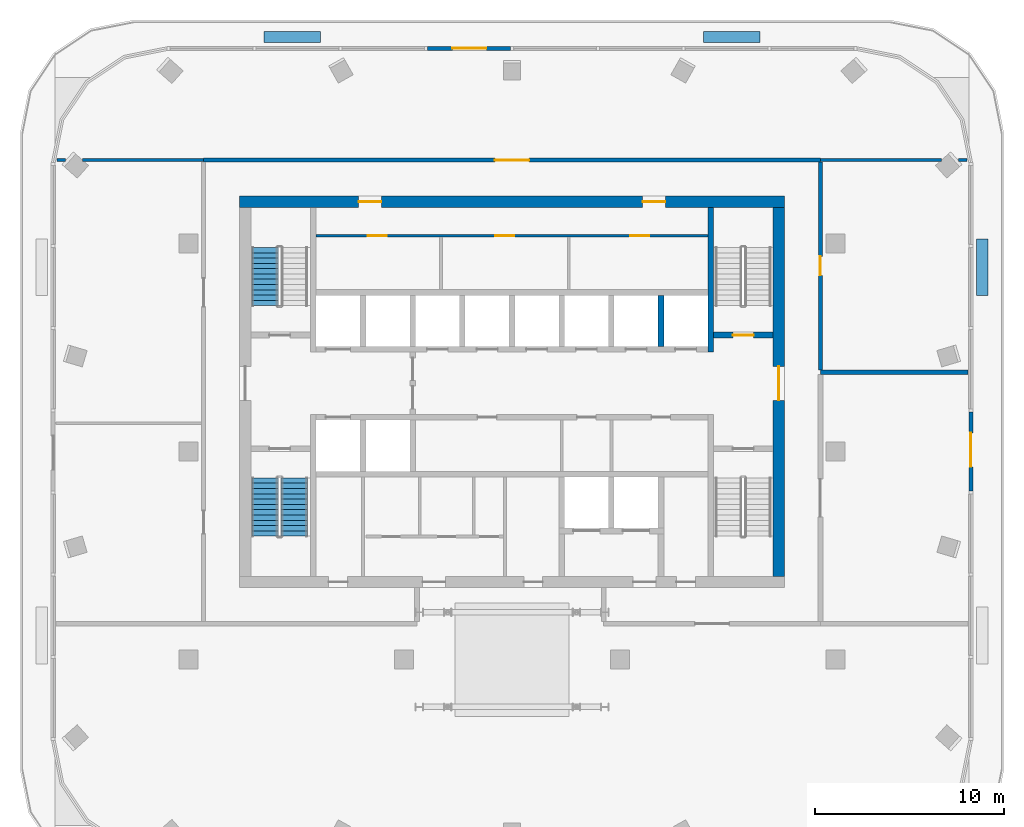
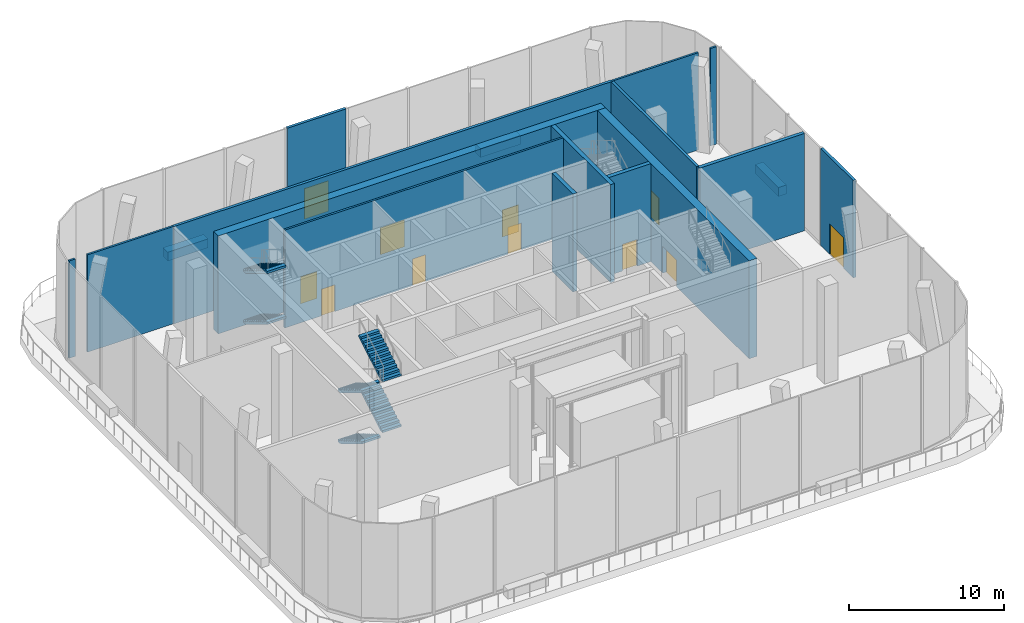
# One storey, part 8 of 13: 18 walls, 11 doors, 6 stair flights, 11 openings, 2 elements without a shape of their own.
"""IFC4 building model written with IfcOpenShell, lengths in metres."""

from ifc_helpers import new_model, si_unit, direction, frame, frame_2d, origin, place, context, subcontext, project, spatial, polyline, rectangle, outline, extrude, material, layer, layer_set, type_object, element, fill, aggregate, save


model = new_model("IFC4")

# Units and contexts
model_context = context("Model", 3, precision=1e-05, world=origin(), true_north=direction((0.0, 1.0)))
body_context = subcontext(model_context, "Body", "Model", "MODEL_VIEW")
ifc_project = project(units=[si_unit("LENGTHUNIT", "METRE"), si_unit("AREAUNIT", "SQUARE_METRE"), si_unit("VOLUMEUNIT", "CUBIC_METRE"), si_unit("PLANEANGLEUNIT", "RADIAN"), si_unit("MASSUNIT", "GRAM", prefix="KILO")], contexts=[model_context])

# Site, building, storey
site_placement = place(None, origin())
site = spatial("IfcSite", under=ifc_project, at=site_placement, CompositionType="ELEMENT")
building_placement = place(site_placement, origin())
building = spatial("IfcBuilding", under=site, at=building_placement, Name="Mopane Tessera Tower", CompositionType="ELEMENT")
storey_placement = place(building_placement, frame((0.0, 0.0, 337.39990234375)))
storey = spatial("IfcBuildingStorey", under=building, at=storey_placement, Name="L74", CompositionType="ELEMENT", Elevation=337.39990234375)

# Wall, openings, doors
ifc_material_1 = material(Name="Fire-rated gypsum board partition")
ifc_layer_1 = layer(ifc_material_1, 0.14990234375)
ifc_layer_set_1 = layer_set([ifc_layer_1], Name="Fire-rated gypsum board partition")
wall_type_1 = type_object("IfcWallType", Name="Core room partition 150 mm", PredefinedType="PARTITIONING", material=ifc_layer_set_1)
wall_1_placement = place(storey_placement, frame((-10.35009765625, 11.39990234375, 0.0), z_axis=(0.0, 0.0, 1.0), x_axis=(1.0, 0.0, 0.0)))
wall_1 = element("IfcWall", 1, at=wall_1_placement, inside=storey, type_object=wall_type_1, Name="L74 Corridor wall", PredefinedType="PARTITIONING", context=body_context, shape_type="SweptSolid", body=[
    extrude(rectangle(XDim=20.7001953125, YDim=0.14990234375, at=frame_2d((10.35009765625, 0.0))), origin(), (0.0, 0.0, 1.0), 7.7001953125),
])
opening_1_placement = place(wall_1_placement, frame((2.72509765625, 0.0, 0.0)))
opening_1 = element("IfcOpeningElement", 2, at=opening_1_placement, cuts=wall_1, Name="Opening RD1", PredefinedType="OPENING", context=body_context, shape_type="SweptSolid", body=[
    extrude(rectangle(XDim=1.0, YDim=2.10009765625, at=frame_2d((0.5, 1.050048828125))), frame((0.0, 0.0869140625, 0.0), z_axis=(0.0, -1.0, 0.0), x_axis=(1.0, 0.0, 0.0)), (0.0, 0.0, 1.0), 0.173828125),
])
opening_2_placement = place(wall_1_placement, frame((9.47509765625, 0.0, 0.0)))
opening_2 = element("IfcOpeningElement", 3, at=opening_2_placement, cuts=wall_1, Name="Opening RD1", PredefinedType="OPENING", context=body_context, shape_type="SweptSolid", body=[
    extrude(rectangle(XDim=1.0, YDim=2.10009765625, at=frame_2d((0.5, 1.050048828125))), frame((0.0, 0.0869140625, 0.0), z_axis=(0.0, -1.0, 0.0), x_axis=(1.0, 0.0, 0.0)), (0.0, 0.0, 1.0), 0.173828125),
])
opening_3_placement = place(wall_1_placement, frame((16.60009765625, 0.0, 0.0)))
opening_3 = element("IfcOpeningElement", 4, at=opening_3_placement, cuts=wall_1, Name="Opening RD1", PredefinedType="OPENING", context=body_context, shape_type="SweptSolid", body=[
    extrude(rectangle(XDim=1.0, YDim=2.10009765625, at=frame_2d((0.5, 1.050048828125))), frame((0.0, 0.0869140625, 0.0), z_axis=(0.0, -1.0, 0.0), x_axis=(1.0, 0.0, 0.0)), (0.0, 0.0, 1.0), 0.173828125),
])
ifc_material_2 = material(Name="Timber door", Category="wood")
door_type_1 = type_object("IfcDoorType", Name="Core room door 1000 x 2100", OperationType="SINGLE_SWING_LEFT", PredefinedType="DOOR", material=ifc_material_2)
door_1_placement = place(opening_1_placement, origin())
door_1 = element("IfcDoor", 5, at=door_1_placement, inside=storey, type_object=door_type_1, Name="L74 Room door", OperationType="SINGLE_SWING_LEFT", OverallHeight=2.10009765625, OverallWidth=1.0, PredefinedType="DOOR", context=body_context, shape_type="SweptSolid", body=[
    extrude(rectangle(XDim=1.0, YDim=2.10009765625, at=frame_2d((0.5, 1.050048828125))), frame((0.0, 0.02490234375, 0.0), z_axis=(0.0, -1.0, 0.0), x_axis=(1.0, 0.0, 0.0)), (0.0, 0.0, 1.0), 0.050048828125),
])
fill(opening_1, door_1)
door_2_placement = place(opening_2_placement, origin())
door_2 = element("IfcDoor", 6, at=door_2_placement, inside=storey, type_object=door_type_1, Name="L74 Room door", OperationType="SINGLE_SWING_LEFT", OverallHeight=2.10009765625, OverallWidth=1.0, PredefinedType="DOOR", context=body_context, shape_type="SweptSolid", body=[
    extrude(rectangle(XDim=1.0, YDim=2.10009765625, at=frame_2d((0.5, 1.050048828125))), frame((0.0, 0.02490234375, 0.0), z_axis=(0.0, -1.0, 0.0), x_axis=(1.0, 0.0, 0.0)), (0.0, 0.0, 1.0), 0.050048828125),
])
fill(opening_2, door_2)
door_3_placement = place(opening_3_placement, origin())
door_3 = element("IfcDoor", 7, at=door_3_placement, inside=storey, type_object=door_type_1, Name="L74 Room door", OperationType="SINGLE_SWING_LEFT", OverallHeight=2.10009765625, OverallWidth=1.0, PredefinedType="DOOR", context=body_context, shape_type="SweptSolid", body=[
    extrude(rectangle(XDim=1.0, YDim=2.10009765625, at=frame_2d((0.5, 1.050048828125))), frame((0.0, 0.02490234375, 0.0), z_axis=(0.0, -1.0, 0.0), x_axis=(1.0, 0.0, 0.0)), (0.0, 0.0, 1.0), 0.050048828125),
])
fill(opening_3, door_3)

ifc_material_3 = material(Name="Concrete C70/85", Category="concrete")
ifc_layer_2 = layer(ifc_material_3, 0.60009765625)
ifc_layer_set_2 = layer_set([ifc_layer_2], Name="Concrete C70/85")
wall_type_2 = type_object("IfcWallType", Name="Core shear wall 600 mm", PredefinedType="SHEAR", material=ifc_layer_set_2)
wall_2_placement = place(storey_placement, frame((-14.39990234375, 13.199951171875, 0.0), z_axis=(0.0, 0.0, 1.0), x_axis=(1.0, 0.0, 0.0)))
wall_2 = element("IfcWall", 8, at=wall_2_placement, inside=storey, type_object=wall_type_2, Name="L74 Core wall north", PredefinedType="SHEAR", context=body_context, shape_type="SweptSolid", body=[
    extrude(rectangle(XDim=28.7998046875, YDim=0.60009765625, at=frame_2d((14.39990234375, 0.0))), origin(), (0.0, 0.0, 1.0), 7.7001953125),
])
opening_4_placement = place(wall_2_placement, frame((6.300048828125, 0.0, 0.0)))
opening_4 = element("IfcOpeningElement", 9, at=opening_4_placement, cuts=wall_2, Name="Opening RD2", PredefinedType="OPENING", context=body_context, shape_type="SweptSolid", body=[
    extrude(rectangle(XDim=1.199951171875, YDim=2.10009765625, at=frame_2d((0.60009765625, 1.050048828125))), frame((0.0, 0.31201171875, 0.0), z_axis=(0.0, -1.0, 0.0), x_axis=(1.0, 0.0, 0.0)), (0.0, 0.0, 1.0), 0.6240234375),
])
opening_5_placement = place(wall_2_placement, frame((21.300048828125, 0.0, 0.0)))
opening_5 = element("IfcOpeningElement", 10, at=opening_5_placement, cuts=wall_2, Name="Opening RD2", PredefinedType="OPENING", context=body_context, shape_type="SweptSolid", body=[
    extrude(rectangle(XDim=1.199951171875, YDim=2.10009765625, at=frame_2d((0.60009765625, 1.050048828125))), frame((0.0, 0.31201171875, 0.0), z_axis=(0.0, -1.0, 0.0), x_axis=(1.0, 0.0, 0.0)), (0.0, 0.0, 1.0), 0.6240234375),
])
ifc_material_4 = material(Name="Timber door", Category="wood")
door_type_2 = type_object("IfcDoorType", Name="Core corridor door 1200 x 2100", OperationType="SINGLE_SWING_LEFT", PredefinedType="DOOR", material=ifc_material_4)
door_4_placement = place(opening_4_placement, origin())
door_4 = element("IfcDoor", 11, at=door_4_placement, inside=storey, type_object=door_type_2, Name="L74 Corridor door", OperationType="SINGLE_SWING_LEFT", OverallHeight=2.10009765625, OverallWidth=1.199951171875, PredefinedType="DOOR", context=body_context, shape_type="SweptSolid", body=[
    extrude(rectangle(XDim=1.199951171875, YDim=2.10009765625, at=frame_2d((0.60009765625, 1.050048828125))), frame((0.0, 0.02490234375, 0.0), z_axis=(0.0, -1.0, 0.0), x_axis=(1.0, 0.0, 0.0)), (0.0, 0.0, 1.0), 0.050048828125),
])
fill(opening_4, door_4)
door_5_placement = place(opening_5_placement, origin())
door_5 = element("IfcDoor", 12, at=door_5_placement, inside=storey, type_object=door_type_2, Name="L74 Corridor door", OperationType="SINGLE_SWING_RIGHT", OverallHeight=2.10009765625, OverallWidth=1.199951171875, PredefinedType="DOOR", context=body_context, shape_type="SweptSolid", body=[
    extrude(rectangle(XDim=1.199951171875, YDim=2.10009765625, at=frame_2d((0.60009765625, 1.050048828125))), frame((0.0, 0.02490234375, 0.0), z_axis=(0.0, -1.0, 0.0), x_axis=(1.0, 0.0, 0.0)), (0.0, 0.0, 1.0), 0.050048828125),
])
fill(opening_5, door_5)

# Wall, opening, door
wall_3_placement = place(storey_placement, frame((14.10009765625, -6.60009765625, 0.0), z_axis=(0.0, 0.0, 1.0), x_axis=(0.0, 1.0, 0.0)))
wall_3 = element("IfcWall", 13, at=wall_3_placement, inside=storey, type_object=wall_type_2, Name="L74 Core wall east", PredefinedType="SHEAR", context=body_context, shape_type="SweptSolid", body=[
    extrude(rectangle(XDim=19.5, YDim=0.60009765625, at=frame_2d((9.75, 0.0))), origin(), (0.0, 0.0, 1.0), 7.7001953125),
])
opening_6_placement = place(wall_3_placement, frame((9.300048828125, 0.0, 0.0)))
opening_6 = element("IfcOpeningElement", 14, at=opening_6_placement, cuts=wall_3, Name="Opening SD2", PredefinedType="OPENING", context=body_context, shape_type="SweptSolid", body=[
    extrude(rectangle(XDim=1.800048828125, YDim=2.10009765625, at=frame_2d((0.89990234375, 1.050048828125))), frame((0.0, 0.31201171875, 0.0), z_axis=(0.0, -1.0, 0.0), x_axis=(1.0, 0.0, 0.0)), (0.0, 0.0, 1.0), 0.6240234375),
])
ifc_material_5 = material(Name="Steel fire door", Category="steel")
door_type_3 = type_object("IfcDoorType", Name="Core entrance double door 1800 x 2100", OperationType="DOUBLE_DOOR_SINGLE_SWING", PredefinedType="DOOR", material=ifc_material_5)
door_6_placement = place(opening_6_placement, origin())
door_6 = element("IfcDoor", 15, at=door_6_placement, inside=storey, type_object=door_type_3, Name="L74 Core entrance door east", OperationType="DOUBLE_DOOR_SINGLE_SWING", OverallHeight=2.10009765625, OverallWidth=1.800048828125, PredefinedType="DOOR", context=body_context, shape_type="SweptSolid", body=[
    extrude(rectangle(XDim=1.800048828125, YDim=2.10009765625, at=frame_2d((0.89990234375, 1.050048828125))), frame((0.0, 0.02490234375, 0.0), z_axis=(0.0, -1.0, 0.0), x_axis=(1.0, 0.0, 0.0)), (0.0, 0.0, 1.0), 0.050048828125),
])
fill(opening_6, door_6)

# Wall
ifc_material_6 = material(Name="Concrete C60/75", Category="concrete")
ifc_layer_3 = layer(ifc_material_6, 0.300048828125)
ifc_layer_set_3 = layer_set([ifc_layer_3], Name="Concrete C60/75")
wall_type_3 = type_object("IfcWallType", Name="Core spine wall 300 mm", PredefinedType="SHEAR", material=ifc_layer_set_3)
wall_4_placement = place(storey_placement, frame((10.5, 5.25, 0.0), z_axis=(0.0, 0.0, 1.0), x_axis=(0.0, 1.0, 0.0)))
element("IfcWall", 16, at=wall_4_placement, inside=storey, type_object=wall_type_3, Name="L74 Core spine wall", PredefinedType="SHEAR", context=body_context, shape_type="SweptSolid", body=[
    extrude(rectangle(XDim=7.64990234375, YDim=0.300048828125, at=frame_2d((3.824951171875, 0.0))), origin(), (0.0, 0.0, 1.0), 7.7001953125),
])

# Wall, opening, door
ifc_material_7 = material(Name="Gypsum board on steel studs, two layers each face, mineral wool infill", Category="steel")
ifc_layer_4 = layer(ifc_material_7, 0.199951171875)
ifc_layer_set_4 = layer_set([ifc_layer_4], Name="Gypsum board on steel studs, two layers each face, mineral wool infill")
wall_type_4 = type_object("IfcWallType", Name="Gypsum board corridor wall 200, rated EI 60", PredefinedType="PARTITIONING", material=ifc_layer_set_4)
wall_5_placement = place(storey_placement, frame((-16.300048828125, 15.39990234375, 0.0), z_axis=(0.0, 0.0, 1.0), x_axis=(1.0, 0.0, 0.0)))
wall_5 = element("IfcWall", 17, at=wall_5_placement, inside=storey, type_object=wall_type_4, Name="Partition L74:009", PredefinedType="PARTITIONING", context=body_context, shape_type="SweptSolid", body=[
    extrude(rectangle(XDim=32.60009765625, YDim=0.199951171875, at=frame_2d((16.300048828125, 0.0))), origin(), (0.0, 0.0, 1.0), 7.650146484375),
])
opening_7_placement = place(wall_5_placement, frame((15.39990234375, 0.0, 0.0)))
opening_7 = element("IfcOpeningElement", 18, at=opening_7_placement, cuts=wall_5, Name="Opening L74-06", PredefinedType="OPENING", context=body_context, shape_type="SweptSolid", body=[
    extrude(rectangle(XDim=1.800048828125, YDim=2.10009765625, at=frame_2d((0.89990234375, 1.050048828125))), frame((0.0, 0.112060546875, 0.0), z_axis=(0.0, -1.0, 0.0), x_axis=(1.0, 0.0, 0.0)), (0.0, 0.0, 1.0), 0.223876953125),
])
ifc_material_8 = material(Name="Timber veneered steel-framed fire door", Category="steel")
door_type_4 = type_object("IfcDoorType", Name="Fire door pair FD60 1800 x 2100", OperationType="DOUBLE_DOOR_SINGLE_SWING", PredefinedType="DOOR", material=ifc_material_8)
door_7_placement = place(opening_7_placement, origin())
door_7 = element("IfcDoor", 19, at=door_7_placement, inside=storey, type_object=door_type_4, Name="Door L74-06", ObjectType="D20A", OperationType="DOUBLE_DOOR_SINGLE_SWING", OverallHeight=2.10009765625, OverallWidth=1.800048828125, PredefinedType="DOOR", context=body_context, shape_type="SweptSolid", body=[
    extrude(rectangle(XDim=1.800048828125, YDim=2.10009765625, at=frame_2d((0.89990234375, 1.050048828125))), frame((0.0, 0.02490234375, 0.0), z_axis=(0.0, -1.0, 0.0), x_axis=(1.0, 0.0, 0.0)), (0.0, 0.0, 1.0), 0.050048828125),
])
fill(opening_7, door_7)

wall_6_placement = place(storey_placement, frame((16.300048828125, 4.31005859375, 0.0), z_axis=(0.0, 0.0, 1.0), x_axis=(0.0, 1.0, 0.0)))
wall_6 = element("IfcWall", 20, at=wall_6_placement, inside=storey, type_object=wall_type_4, Name="Partition L74:013", PredefinedType="PARTITIONING", context=body_context, shape_type="SweptSolid", body=[
    extrude(rectangle(XDim=10.989990234375, YDim=0.199951171875, at=frame_2d((5.4951171875, 0.0))), origin(), (0.0, 0.0, 1.0), 7.650146484375),
])
opening_8_placement = place(wall_6_placement, frame((4.9951171875, 0.0, 0.0)))
opening_8 = element("IfcOpeningElement", 21, at=opening_8_placement, cuts=wall_6, Name="Opening L74-04", PredefinedType="OPENING", context=body_context, shape_type="SweptSolid", body=[
    extrude(rectangle(XDim=1.0, YDim=2.10009765625, at=frame_2d((0.5, 1.050048828125))), frame((0.0, 0.112060546875, 0.0), z_axis=(0.0, -1.0, 0.0), x_axis=(1.0, 0.0, 0.0)), (0.0, 0.0, 1.0), 0.223876953125),
])
ifc_material_9 = material(Name="Timber veneered steel-framed fire door", Category="steel")
door_type_5 = type_object("IfcDoorType", Name="Fire door FD60 1000 x 2100", OperationType="SINGLE_SWING_LEFT", PredefinedType="DOOR", material=ifc_material_9)
door_8_placement = place(opening_8_placement, origin())
door_8 = element("IfcDoor", 22, at=door_8_placement, inside=storey, type_object=door_type_5, Name="Door L74-04", ObjectType="D12A", OperationType="SINGLE_SWING_RIGHT", OverallHeight=2.10009765625, OverallWidth=1.0, PredefinedType="DOOR", context=body_context, shape_type="SweptSolid", body=[
    extrude(rectangle(XDim=1.0, YDim=2.10009765625, at=frame_2d((0.5, 1.050048828125))), frame((0.0, 0.02490234375, 0.0), z_axis=(0.0, -1.0, 0.0), x_axis=(1.0, 0.0, 0.0)), (0.0, 0.0, 1.0), 0.050048828125),
])
fill(opening_8, door_8)

# Walls
ifc_material_10 = material(Name="Gypsum board on steel studs, mineral wool infill", Category="steel")
ifc_layer_5 = layer(ifc_material_10, 0.14990234375)
ifc_layer_set_5 = layer_set([ifc_layer_5], Name="Gypsum board on steel studs, mineral wool infill")
wall_type_5 = type_object("IfcWallType", Name="Gypsum board partition 150, rated EI 60", PredefinedType="PARTITIONING", material=ifc_layer_set_5)
wall_7_placement = place(storey_placement, frame((-24.055908203125, 15.39990234375, 0.0), z_axis=(0.0, 0.0, 1.0), x_axis=(1.0, 0.0, 0.0)))
element("IfcWall", 23, at=wall_7_placement, inside=storey, type_object=wall_type_5, Name="Partition L74:005", PredefinedType="PARTITIONING", context=body_context, shape_type="SweptSolid", body=[
    extrude(rectangle(XDim=0.455810546875, YDim=0.14990234375, at=frame_2d((0.22802734375, 0.0))), origin(), (0.0, 0.0, 1.0), 7.650146484375),
])
for number, where, z_axis, x_axis, name in (
    (24, (-22.699951171875, 15.39990234375, 0.0), (0.0, 0.0, 1.0), (1.0, 0.0, 0.0), "Partition L74:006"),
    (25, (16.300048828125, 15.39990234375, 0.0), (0.0, 0.0, 1.0), (1.0, 0.0, 0.0), "Partition L74:007"),
):
    element("IfcWall", number, at=place(storey_placement, frame(where, z_axis=z_axis, x_axis=x_axis)), inside=storey, type_object=wall_type_5, Name=name, PredefinedType="PARTITIONING", context=body_context, shape_type="SweptSolid", body=[
        extrude(rectangle(XDim=6.39990234375, YDim=0.14990234375, at=frame_2d((3.199951171875, 0.0))), origin(), (0.0, 0.0, 1.0), 7.650146484375),
    ])
wall_8_placement = place(storey_placement, frame((23.60009765625, 15.39990234375, 0.0), z_axis=(0.0, 0.0, 1.0), x_axis=(1.0, 0.0, 0.0)))
element("IfcWall", 26, at=wall_8_placement, inside=storey, type_object=wall_type_5, Name="Partition L74:008", PredefinedType="PARTITIONING", context=body_context, shape_type="SweptSolid", body=[
    extrude(rectangle(XDim=0.455810546875, YDim=0.14990234375, at=frame_2d((0.22802734375, 0.0))), origin(), (0.0, 0.0, 1.0), 7.650146484375),
])

# Wall, opening, door
ifc_material_11 = material(Name="Concrete C50/60", Category="concrete")
ifc_layer_6 = layer(ifc_material_11, 0.300048828125)
ifc_layer_set_6 = layer_set([ifc_layer_6], Name="Concrete C50/60")
wall_type_6 = type_object("IfcWallType", Name="Lift and stair shaft wall 300 mm", PredefinedType="SOLIDWALL", material=ifc_layer_set_6)
wall_9_placement = place(storey_placement, frame((10.64990234375, 6.14990234375, 0.0), z_axis=(0.0, 0.0, 1.0), x_axis=(1.0, 0.0, 0.0)))
wall_9 = element("IfcWall", 27, at=wall_9_placement, inside=storey, type_object=wall_type_6, Name="L74 Stair enclosure wall", PredefinedType="SOLIDWALL", context=body_context, shape_type="SweptSolid", body=[
    extrude(rectangle(XDim=3.150146484375, YDim=0.300048828125, at=frame_2d((1.5751953125, 0.0))), origin(), (0.0, 0.0, 1.0), 7.7001953125),
])
opening_9_placement = place(wall_9_placement, frame((1.02490234375, 0.0, 0.0)))
opening_9 = element("IfcOpeningElement", 28, at=opening_9_placement, cuts=wall_9, Name="Opening SD1", PredefinedType="OPENING", context=body_context, shape_type="SweptSolid", body=[
    extrude(rectangle(XDim=1.10009765625, YDim=2.10009765625, at=frame_2d((0.550048828125, 1.050048828125))), frame((0.0, 0.162109375, 0.0), z_axis=(0.0, -1.0, 0.0), x_axis=(1.0, 0.0, 0.0)), (0.0, 0.0, 1.0), 0.323974609375),
])
ifc_material_12 = material(Name="Steel fire door", Category="steel")
door_type_6 = type_object("IfcDoorType", Name="Stair fire door 1100 x 2100", OperationType="SINGLE_SWING_LEFT", PredefinedType="DOOR", material=ifc_material_12)
door_9_placement = place(opening_9_placement, origin())
door_9 = element("IfcDoor", 29, at=door_9_placement, inside=storey, type_object=door_type_6, Name="L74 Stair door ST4", OperationType="SINGLE_SWING_RIGHT", OverallHeight=2.10009765625, OverallWidth=1.10009765625, PredefinedType="DOOR", context=body_context, shape_type="SweptSolid", body=[
    extrude(rectangle(XDim=1.10009765625, YDim=2.10009765625, at=frame_2d((0.550048828125, 1.050048828125))), frame((0.0, 0.02490234375, 0.0), z_axis=(0.0, -1.0, 0.0), x_axis=(1.0, 0.0, 0.0)), (0.0, 0.0, 1.0), 0.050048828125),
])
fill(opening_9, door_9)

# Walls
wall_10_placement = place(storey_placement, frame((7.875, 5.550048828125, 0.0), z_axis=(0.0, 0.0, 1.0), x_axis=(0.0, 1.0, 0.0)))
element("IfcWall", 30, at=wall_10_placement, inside=storey, type_object=wall_type_6, Name="L74 Lift shaft wall", PredefinedType="SOLIDWALL", context=body_context, shape_type="SweptSolid", body=[
    extrude(rectangle(XDim=2.699951171875, YDim=0.300048828125, at=frame_2d((1.35009765625, 0.0))), origin(), (0.0, 0.0, 1.0), 7.7001953125),
])
ifc_material_13 = material(Name="Reinforced concrete C32/40 with waterproofing", Category="concrete")
ifc_layer_7 = layer(ifc_material_13, 0.60009765625)
ifc_layer_set_7 = layer_set([ifc_layer_7], Name="Reinforced concrete C32/40 with waterproofing")
wall_type_7 = type_object("IfcWallType", Name="Planter trough 3000 x 600", PredefinedType="STANDARD", material=ifc_layer_set_7)
for number, where, z_axis, x_axis, name in (
    (31, (24.85009765625, 8.22802734375, 0.0), (0.0, 0.0, 1.0), (0.0, 1.0, 0.0), "e:sp:L74:E1"),
    (32, (13.115966796875, 21.89990234375, 0.0), (0.0, 0.0, 1.0), (-1.0, 0.0, 0.0), "e:sp:L74:N0"),
    (33, (-10.115966796875, 21.89990234375, 0.0), (0.0, 0.0, 1.0), (-1.0, 0.0, 0.0), "e:sp:L74:N1"),
):
    element("IfcWall", number, at=place(storey_placement, frame(where, z_axis=z_axis, x_axis=x_axis)), inside=storey, type_object=wall_type_7, Name=name, PredefinedType="STANDARD", context=body_context, shape_type="SweptSolid", body=[
        extrude(rectangle(XDim=3.0, YDim=0.60009765625, at=frame_2d((1.5, 0.0))), origin(), (0.0, 0.0, 1.0), 0.7001953125),
    ])
ifc_material_14 = material(Name="Plastered concrete blockwork C20/25", Category="masonry")
ifc_layer_8 = layer(ifc_material_14, 0.25)
ifc_layer_set_8 = layer_set([ifc_layer_8], Name="Plastered concrete blockwork C20/25")
wall_type_8 = type_object("IfcWallType", Name="Plastered blockwork wall 250, rated EI 120", PredefinedType="PARTITIONING", material=ifc_layer_set_8)
wall_11_placement = place(storey_placement, frame((16.300048828125, 4.18505859375, 0.0), z_axis=(0.0, 0.0, 1.0), x_axis=(1.0, 0.0, 0.0)))
element("IfcWall", 34, at=wall_11_placement, inside=storey, type_object=wall_type_8, Name="Partition L74:004", PredefinedType="PARTITIONING", context=body_context, shape_type="SweptSolid", body=[
    extrude(rectangle(XDim=7.800048828125, YDim=0.25, at=frame_2d((3.89990234375, 0.0))), origin(), (0.0, 0.0, 1.0), 7.650146484375),
])

# Wall, opening, door
ifc_material_15 = material(Name="Blockwork with glazed tile facing", Category="masonry")
ifc_layer_9 = layer(ifc_material_15, 0.199951171875)
ifc_layer_set_9 = layer_set([ifc_layer_9], Name="Blockwork with glazed tile facing")
wall_type_9 = type_object("IfcWallType", Name="Tile-clad portal wall 200", PredefinedType="STANDARD", material=ifc_layer_set_9)
wall_12_placement = place(storey_placement, frame((24.25, -2.09130859375, 0.0), z_axis=(0.0, 0.0, 1.0), x_axis=(0.0, 1.0, 0.0)))
wall_12 = element("IfcWall", 35, at=wall_12_placement, inside=storey, type_object=wall_type_9, Name="e:pw:L74:E", PredefinedType="STANDARD", context=body_context, shape_type="SweptSolid", body=[
    extrude(rectangle(XDim=4.1826171875, YDim=0.199951171875, at=frame_2d((2.09130859375, 0.0))), origin(), (0.0, 0.0, 1.0), 7.650146484375),
])
opening_10_placement = place(wall_12_placement, frame((1.27001953125, 0.0, 0.0)))
opening_10 = element("IfcOpeningElement", 36, at=opening_10_placement, cuts=wall_12, Name="Opening TD74E", PredefinedType="OPENING", context=body_context, shape_type="SweptSolid", body=[
    extrude(rectangle(XDim=1.800048828125, YDim=2.39990234375, at=frame_2d((0.89990234375, 1.199951171875))), frame((0.0, 0.112060546875, 0.0), z_axis=(0.0, -1.0, 0.0), x_axis=(1.0, 0.0, 0.0)), (0.0, 0.0, 1.0), 0.223876953125),
])
ifc_material_16 = material(Name="Aluminium and clear glass", Category="aluminium")
door_type_7 = type_object("IfcDoorType", Name="Terrace double door 1800 x 2400", OperationType="DOUBLE_DOOR_SINGLE_SWING", PredefinedType="DOOR", material=ifc_material_16)
door_10_placement = place(opening_10_placement, origin())
door_10 = element("IfcDoor", 37, at=door_10_placement, inside=storey, type_object=door_type_7, Name="e:pw:L74:E:door", ObjectType="D1", OperationType="DOUBLE_DOOR_SINGLE_SWING", OverallHeight=2.39990234375, OverallWidth=1.800048828125, PredefinedType="DOOR", context=body_context, shape_type="SweptSolid", body=[
    extrude(rectangle(XDim=1.800048828125, YDim=2.39990234375, at=frame_2d((0.89990234375, 1.199951171875))), frame((0.0, 0.02490234375, 0.0), z_axis=(0.0, -1.0, 0.0), x_axis=(1.0, 0.0, 0.0)), (0.0, 0.0, 1.0), 0.050048828125),
])
fill(opening_10, door_10)

wall_13_placement = place(storey_placement, frame((-0.080078125, 21.300048828125, 0.0), z_axis=(0.0, 0.0, 1.0), x_axis=(-1.0, 0.0, 0.0)))
wall_13 = element("IfcWall", 38, at=wall_13_placement, inside=storey, type_object=wall_type_9, Name="e:pw:L74:N", PredefinedType="STANDARD", context=body_context, shape_type="SweptSolid", body=[
    extrude(rectangle(XDim=4.37744140625, YDim=0.199951171875, at=frame_2d((2.188720703125, 0.0))), origin(), (0.0, 0.0, 1.0), 7.650146484375),
])
opening_11_placement = place(wall_13_placement, frame((1.27001953125, 0.0, 0.0)))
opening_11 = element("IfcOpeningElement", 39, at=opening_11_placement, cuts=wall_13, Name="Opening TD74N", PredefinedType="OPENING", context=body_context, shape_type="SweptSolid", body=[
    extrude(rectangle(XDim=1.800048828125, YDim=2.39990234375, at=frame_2d((0.89990234375, 1.199951171875))), frame((0.0, 0.112060546875, 0.0), z_axis=(0.0, -1.0, 0.0), x_axis=(1.0, 0.0, 0.0)), (0.0, 0.0, 1.0), 0.223876953125),
])
door_11_placement = place(opening_11_placement, origin())
door_11 = element("IfcDoor", 40, at=door_11_placement, inside=storey, type_object=door_type_7, Name="e:pw:L74:N:door", ObjectType="D1", OperationType="DOUBLE_DOOR_SINGLE_SWING", OverallHeight=2.39990234375, OverallWidth=1.800048828125, PredefinedType="DOOR", context=body_context, shape_type="SweptSolid", body=[
    extrude(rectangle(XDim=1.800048828125, YDim=2.39990234375, at=frame_2d((0.89990234375, 1.199951171875))), frame((0.0, 0.02490234375, 0.0), z_axis=(0.0, -1.0, 0.0), x_axis=(1.0, 0.0, 0.0)), (0.0, 0.0, 1.0), 0.050048828125),
])
fill(opening_11, door_11)

# Stair, stair flights
ifc_material_17 = material(Name="Concrete C50/60", Category="concrete")
stair_type = type_object("IfcStairType", Name="Escape stair 1400 mm, riser 167 mm", PredefinedType="HALF_TURN_STAIR", material=ifc_material_17)
stair_1_placement = place(storey_placement, origin())
stair_1 = element("IfcStair", 41, at=stair_1_placement, inside=storey, type_object=stair_type, Name="L74 Escape stair south-west", PredefinedType="HALF_TURN_STAIR")
ifc_material_18 = material(Name="Concrete C50/60", Category="concrete")
stair_flight_type = type_object("IfcStairFlightType", Name="Escape stair flight 1400 mm", PredefinedType="STRAIGHT", material=ifc_material_18)
stair_flight_1_placement = place(storey_placement, frame((-13.050048828125, -1.39990234375, 0.0), z_axis=(0.0, 0.0, 1.0), x_axis=(0.0, -1.0, 0.0)))
stair_flight_1 = element("IfcStairFlight", 42, at=stair_flight_1_placement, type_object=stair_flight_type, Name="ST1 flight 1", NumberOfRisers=12, NumberOfTreads=11, PredefinedType="STRAIGHT", RiserHeight=0.166666667, TreadLength=0.28, context=body_context, shape_type="SweptSolid", body=[
    extrude(outline(polyline([(0.0, 0.0), (0.0, 0.166748046875), (0.280029296875, 0.166748046875), (0.280029296875, 0.333251953125), (0.56005859375, 0.333251953125), (0.56005859375, 0.5), (0.840087890625, 0.5), (0.840087890625, 0.666748046875), (1.1201171875, 0.666748046875), (1.1201171875, 0.833251953125), (1.39990234375, 0.833251953125), (1.39990234375, 1.0), (1.679931640625, 1.0), (1.679931640625, 1.166748046875), (1.9599609375, 1.166748046875), (1.9599609375, 1.333251953125), (2.239990234375, 1.333251953125), (2.239990234375, 1.5), (2.52001953125, 1.5), (2.52001953125, 1.666748046875), (2.800048828125, 1.666748046875), (2.800048828125, 1.833251953125), (3.080078125, 1.833251953125), (3.080078125, 2.0), (3.080078125, 1.658935546875), (0.29296875, 0.0), (0.0, 0.0)])), frame((0.0, 0.699951171875, 0.0), z_axis=(0.0, -1.0, 0.0), x_axis=(1.0, 0.0, 0.0)), (0.0, 0.0, 1.0), 1.39990234375),
])
stair_flight_2_placement = place(storey_placement, frame((-11.5, -4.47998046875, 2.0), z_axis=(0.0, 0.0, 1.0), x_axis=(0.0, 1.0, 0.0)))
stair_flight_2 = element("IfcStairFlight", 43, at=stair_flight_2_placement, type_object=stair_flight_type, Name="ST1 flight 2", NumberOfRisers=12, NumberOfTreads=11, PredefinedType="STRAIGHT", RiserHeight=0.166666667, TreadLength=0.28, context=body_context, shape_type="SweptSolid", body=[
    extrude(outline(polyline([(0.0, 0.0), (0.0, 0.166748046875), (0.280029296875, 0.166748046875), (0.280029296875, 0.333251953125), (0.56005859375, 0.333251953125), (0.56005859375, 0.5), (0.840087890625, 0.5), (0.840087890625, 0.666748046875), (1.1201171875, 0.666748046875), (1.1201171875, 0.833251953125), (1.39990234375, 0.833251953125), (1.39990234375, 1.0), (1.679931640625, 1.0), (1.679931640625, 1.166748046875), (1.9599609375, 1.166748046875), (1.9599609375, 1.333251953125), (2.239990234375, 1.333251953125), (2.239990234375, 1.5), (2.52001953125, 1.5), (2.52001953125, 1.666748046875), (2.800048828125, 1.666748046875), (2.800048828125, 1.833251953125), (3.080078125, 1.833251953125), (3.080078125, 2.0), (3.080078125, 1.658935546875), (0.29296875, 0.0), (0.0, 0.0)])), frame((0.0, 0.699951171875, 0.0), z_axis=(0.0, -1.0, 0.0), x_axis=(1.0, 0.0, 0.0)), (0.0, 0.0, 1.0), 1.39990234375),
])
stair_flight_3_placement = place(storey_placement, frame((-13.050048828125, -1.39990234375, 4.0), z_axis=(0.0, 0.0, 1.0), x_axis=(0.0, -1.0, 0.0)))
stair_flight_3 = element("IfcStairFlight", 44, at=stair_flight_3_placement, type_object=stair_flight_type, Name="ST1 flight 3", NumberOfRisers=12, NumberOfTreads=11, PredefinedType="STRAIGHT", RiserHeight=0.166666667, TreadLength=0.28, context=body_context, shape_type="SweptSolid", body=[
    extrude(outline(polyline([(0.0, 0.0), (0.0, 0.166748046875), (0.280029296875, 0.166748046875), (0.280029296875, 0.333251953125), (0.56005859375, 0.333251953125), (0.56005859375, 0.5), (0.840087890625, 0.5), (0.840087890625, 0.666748046875), (1.1201171875, 0.666748046875), (1.1201171875, 0.833251953125), (1.39990234375, 0.833251953125), (1.39990234375, 1.0), (1.679931640625, 1.0), (1.679931640625, 1.166748046875), (1.9599609375, 1.166748046875), (1.9599609375, 1.333251953125), (2.239990234375, 1.333251953125), (2.239990234375, 1.5), (2.52001953125, 1.5), (2.52001953125, 1.666748046875), (2.800048828125, 1.666748046875), (2.800048828125, 1.833251953125), (3.080078125, 1.833251953125), (3.080078125, 2.0), (3.080078125, 1.658935546875), (0.29296875, 0.0), (0.0, 0.0)])), frame((0.0, 0.699951171875, 0.0), z_axis=(0.0, -1.0, 0.0), x_axis=(1.0, 0.0, 0.0)), (0.0, 0.0, 1.0), 1.39990234375),
])
stair_flight_4_placement = place(storey_placement, frame((-11.5, -4.47998046875, 6.0), z_axis=(0.0, 0.0, 1.0), x_axis=(0.0, 1.0, 0.0)))
stair_flight_4 = element("IfcStairFlight", 45, at=stair_flight_4_placement, type_object=stair_flight_type, Name="ST1 flight 4", NumberOfRisers=12, NumberOfTreads=11, PredefinedType="STRAIGHT", RiserHeight=0.166666667, TreadLength=0.28, context=body_context, shape_type="SweptSolid", body=[
    extrude(outline(polyline([(0.0, 0.0), (0.0, 0.166748046875), (0.280029296875, 0.166748046875), (0.280029296875, 0.333251953125), (0.56005859375, 0.333251953125), (0.56005859375, 0.5), (0.840087890625, 0.5), (0.840087890625, 0.666748046875), (1.1201171875, 0.666748046875), (1.1201171875, 0.833251953125), (1.39990234375, 0.833251953125), (1.39990234375, 1.0), (1.679931640625, 1.0), (1.679931640625, 1.166748046875), (1.9599609375, 1.166748046875), (1.9599609375, 1.333251953125), (2.239990234375, 1.333251953125), (2.239990234375, 1.5), (2.52001953125, 1.5), (2.52001953125, 1.666748046875), (2.800048828125, 1.666748046875), (2.800048828125, 1.833251953125), (3.080078125, 1.833251953125), (3.080078125, 2.0), (3.080078125, 1.658935546875), (0.29296875, 0.0), (0.0, 0.0)])), frame((0.0, 0.699951171875, 0.0), z_axis=(0.0, -1.0, 0.0), x_axis=(1.0, 0.0, 0.0)), (0.0, 0.0, 1.0), 1.39990234375),
])
aggregate(stair_1, [stair_flight_1, stair_flight_2, stair_flight_3, stair_flight_4])

stair_2_placement = place(storey_placement, origin())
stair_2 = element("IfcStair", 46, at=stair_2_placement, inside=storey, type_object=stair_type, Name="L74 Escape stair north-west", PredefinedType="HALF_TURN_STAIR")
stair_flight_5_placement = place(storey_placement, frame((-13.050048828125, 10.780029296875, 2.0), z_axis=(0.0, 0.0, 1.0), x_axis=(0.0, -1.0, 0.0)))
stair_flight_5 = element("IfcStairFlight", 47, at=stair_flight_5_placement, type_object=stair_flight_type, Name="ST2 flight 2", NumberOfRisers=12, NumberOfTreads=11, PredefinedType="STRAIGHT", RiserHeight=0.166666667, TreadLength=0.28, context=body_context, shape_type="SweptSolid", body=[
    extrude(outline(polyline([(0.0, 0.0), (0.0, 0.166748046875), (0.280029296875, 0.166748046875), (0.280029296875, 0.333251953125), (0.56005859375, 0.333251953125), (0.56005859375, 0.5), (0.840087890625, 0.5), (0.840087890625, 0.666748046875), (1.1201171875, 0.666748046875), (1.1201171875, 0.833251953125), (1.39990234375, 0.833251953125), (1.39990234375, 1.0), (1.679931640625, 1.0), (1.679931640625, 1.166748046875), (1.9599609375, 1.166748046875), (1.9599609375, 1.333251953125), (2.239990234375, 1.333251953125), (2.239990234375, 1.5), (2.52001953125, 1.5), (2.52001953125, 1.666748046875), (2.800048828125, 1.666748046875), (2.800048828125, 1.833251953125), (3.080078125, 1.833251953125), (3.080078125, 2.0), (3.080078125, 1.658935546875), (0.29296875, 0.0), (0.0, 0.0)])), frame((0.0, 0.699951171875, 0.0), z_axis=(0.0, -1.0, 0.0), x_axis=(1.0, 0.0, 0.0)), (0.0, 0.0, 1.0), 1.39990234375),
])
stair_flight_6_placement = place(storey_placement, frame((-13.050048828125, 10.780029296875, 6.0), z_axis=(0.0, 0.0, 1.0), x_axis=(0.0, -1.0, 0.0)))
stair_flight_6 = element("IfcStairFlight", 48, at=stair_flight_6_placement, type_object=stair_flight_type, Name="ST2 flight 4", NumberOfRisers=12, NumberOfTreads=11, PredefinedType="STRAIGHT", RiserHeight=0.166666667, TreadLength=0.28, context=body_context, shape_type="SweptSolid", body=[
    extrude(outline(polyline([(0.0, 0.0), (0.0, 0.166748046875), (0.280029296875, 0.166748046875), (0.280029296875, 0.333251953125), (0.56005859375, 0.333251953125), (0.56005859375, 0.5), (0.840087890625, 0.5), (0.840087890625, 0.666748046875), (1.1201171875, 0.666748046875), (1.1201171875, 0.833251953125), (1.39990234375, 0.833251953125), (1.39990234375, 1.0), (1.679931640625, 1.0), (1.679931640625, 1.166748046875), (1.9599609375, 1.166748046875), (1.9599609375, 1.333251953125), (2.239990234375, 1.333251953125), (2.239990234375, 1.5), (2.52001953125, 1.5), (2.52001953125, 1.666748046875), (2.800048828125, 1.666748046875), (2.800048828125, 1.833251953125), (3.080078125, 1.833251953125), (3.080078125, 2.0), (3.080078125, 1.658935546875), (0.29296875, 0.0), (0.0, 0.0)])), frame((0.0, 0.699951171875, 0.0), z_axis=(0.0, -1.0, 0.0), x_axis=(1.0, 0.0, 0.0)), (0.0, 0.0, 1.0), 1.39990234375),
])
aggregate(stair_2, [stair_flight_5, stair_flight_6])

save(model, "model.ifc")
